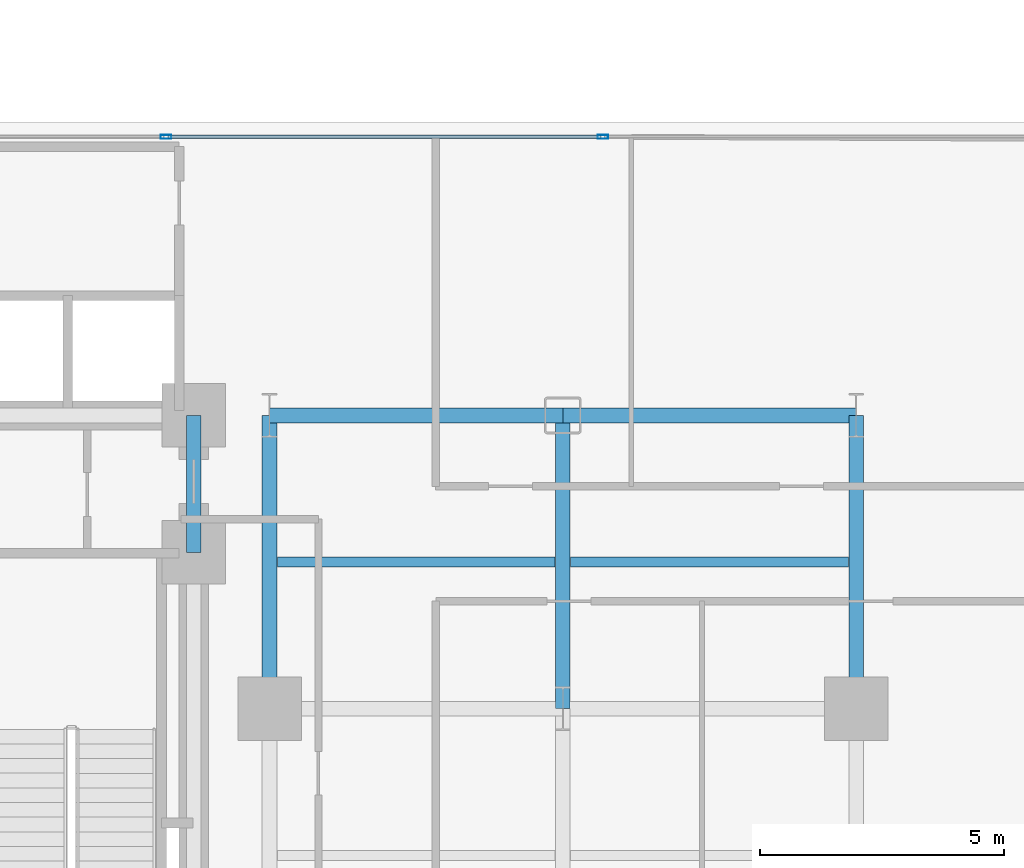
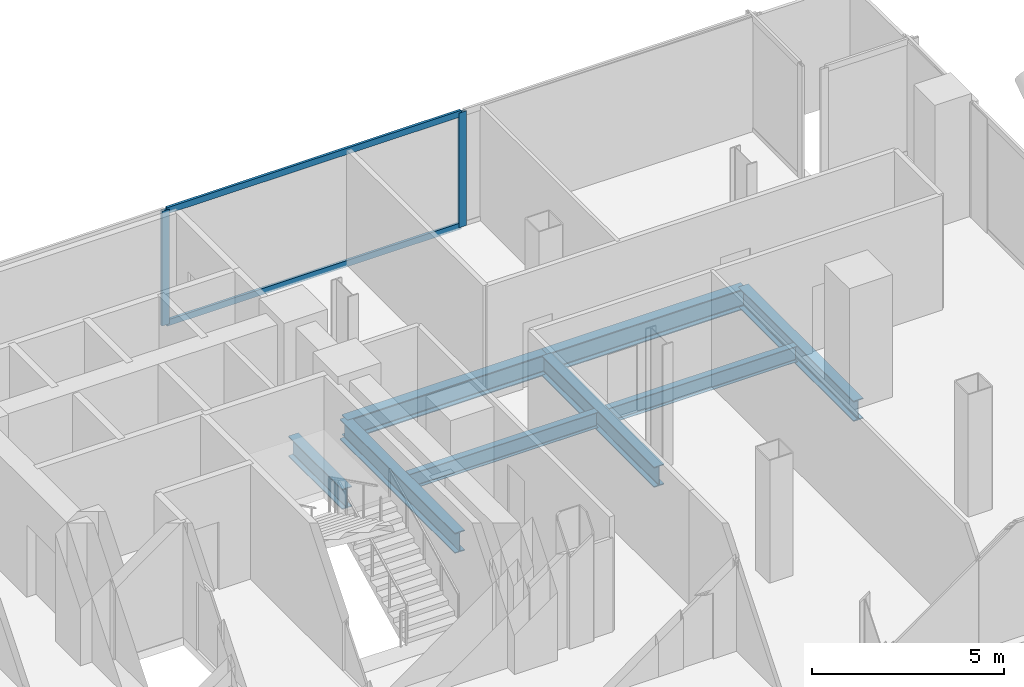
# One storey, part 11 of 25: 8 beams, 4 members, 1 element without a shape of its own.
"""IFC4 building model written with IfcOpenShell, lengths in metres."""

from ifc_helpers import new_model, si_unit, direction, frame, origin, origin_2d, place, context, subcontext, project, spatial, hollow_rectangle, i_section, extrude, material, layer, layer_set, material_profile, profile_set, type_object, element, aggregate, save


model = new_model("IFC4")

# Units and contexts
model_context = context("Model", 3, precision=1e-05, world=origin(), true_north=direction((0.0, 1.0)))
body_context = subcontext(model_context, "Body", "Model", "MODEL_VIEW")
ifc_project = project(units=[si_unit("LENGTHUNIT", "METRE"), si_unit("AREAUNIT", "SQUARE_METRE"), si_unit("VOLUMEUNIT", "CUBIC_METRE"), si_unit("PLANEANGLEUNIT", "RADIAN"), si_unit("MASSUNIT", "GRAM", prefix="KILO"), si_unit("THERMODYNAMICTEMPERATUREUNIT", "KELVIN"), si_unit("POWERUNIT", "WATT")], contexts=[model_context])

# Site, building, storey
site_placement = place(None, origin())
site = spatial("IfcSite", under=ifc_project, at=site_placement, CompositionType="ELEMENT")
building_placement = place(site_placement, origin())
building = spatial("IfcBuilding", under=site, at=building_placement, Name="Svarakhadi Broadcast Tower", CompositionType="ELEMENT")
storey_placement = place(building_placement, frame((0.0, 0.0, 36.300048828125)))
storey = spatial("IfcBuildingStorey", under=building, at=storey_placement, Name="L07", CompositionType="ELEMENT", Elevation=36.300048828125)

# Beams
ifc_material_1 = material(Name="Steel S355J2 (IS 2062 E350C)", Category="steel")
ifc_material_profile_1 = material_profile(ifc_material_1, i_section(OverallWidth=0.199951171875, OverallDepth=0.5, WebThickness=0.01025390625, FlangeThickness=0.01611328125, FilletRadius=0.02099609375, at=origin_2d()), Name="NPB 500x200x91")
ifc_profile_set_1 = profile_set([ifc_material_profile_1], Name="Steel S355J2 (IS 2062 E350C)")
beam_type_1 = type_object("IfcBeamType", Name="Beam_NPB500", PredefinedType="BEAM", material=ifc_profile_set_1)
for number, where, z_axis, x_axis, name in (
    (1, (35.31005859375, 15.0, -0.5), (1.0, 0.0, 0.0), (0.0, 1.0, 0.0), "L07 Secondary Composite Beam SB024"),
    (2, (41.31005859375, 15.0, -0.5), (1.0, 0.0, 0.0), (0.0, 1.0, 0.0), "L07 Secondary Composite Beam SB027"),
):
    element("IfcBeam", number, at=place(storey_placement, frame(where, z_axis=z_axis, x_axis=x_axis)), inside=storey, type_object=beam_type_1, Name=name, PredefinedType="BEAM", context=body_context, shape_type="SweptSolid", body=[
        extrude(i_section(OverallWidth=0.199951171875, OverallDepth=0.5, WebThickness=0.01025390625, FlangeThickness=0.01611328125, FilletRadius=0.02099609375, at=origin_2d()), origin(), (0.0, 0.0, 1.0), 5.679931640625),
    ])

# Curtain wall, members
ifc_material_2 = material(Name="Anodised Bronze Aluminium AA 6063-T6", Category="aluminium")
ifc_layer = layer(ifc_material_2, 0.219970703125)
ifc_layer_set = layer_set([ifc_layer], Name="Anodised Bronze Aluminium AA 6063-T6")
curtain_wall_type = type_object("IfcCurtainWallType", Name="CW_Sys_02", PredefinedType="NOTDEFINED", material=ifc_layer_set)
curtain_wall_placement = place(storey_placement, origin())
curtain_wall = element("IfcCurtainWall", 3, at=curtain_wall_placement, inside=storey, type_object=curtain_wall_type, Name="L07 Unitised Facade Curtain Wall 10", PredefinedType="NOTDEFINED")
ifc_material_profile_2 = material_profile(ifc_material_2, hollow_rectangle(XDim=0.0849609375, YDim=0.219970703125, WallThickness=0.006103515625, at=origin_2d()), Name="ALU MULLION 220x85x6")
ifc_profile_set_2 = profile_set([ifc_material_profile_2], Name="Anodised Bronze Aluminium AA 6063-T6")
member_type_1 = type_object("IfcMemberType", Name="CW_Sys_02_Mul", PredefinedType="MULLION", material=ifc_profile_set_2)
member_1_placement = place(storey_placement, frame((33.030029296875, 23.699951171875, 0.0), z_axis=(0.0, 0.0, 1.0), x_axis=(0.0, 1.0, 0.0)))
member_1 = element("IfcMember", 4, at=member_1_placement, type_object=member_type_1, Name="CW-02 mullion 2", PredefinedType="MULLION", context=body_context, shape_type="SweptSolid", body=[
    extrude(hollow_rectangle(XDim=0.0849609375, YDim=0.219970703125, WallThickness=0.006103515625, at=origin_2d()), origin(), (0.0, 0.0, 1.0), 3.64990234375),
])
member_2_placement = place(storey_placement, frame((41.969970703125, 23.699951171875, 0.0), z_axis=(0.0, 0.0, 1.0), x_axis=(0.0, 1.0, 0.0)))
member_2 = element("IfcMember", 5, at=member_2_placement, type_object=member_type_1, Name="CW-02 mullion 3", PredefinedType="MULLION", context=body_context, shape_type="SweptSolid", body=[
    extrude(hollow_rectangle(XDim=0.0849609375, YDim=0.219970703125, WallThickness=0.006103515625, at=origin_2d()), origin(), (0.0, 0.0, 1.0), 3.64990234375),
])
ifc_material_profile_3 = material_profile(ifc_material_2, hollow_rectangle(XDim=0.074951171875, YDim=0.199951171875, WallThickness=0.0048828125, at=origin_2d()), Name="ALU TRANSOM 200x75x5")
ifc_profile_set_3 = profile_set([ifc_material_profile_3], Name="Anodised Bronze Aluminium AA 6063-T6")
member_type_2 = type_object("IfcMemberType", Name="CW_Sys_02_Trn", PredefinedType="USERDEFINED", material=ifc_profile_set_3)
member_3_placement = place(storey_placement, frame((33.072509765625, 23.699951171875, 0.037353515625), z_axis=(1.0, 0.0, 0.0), x_axis=(0.0, 1.0, 0.0)))
member_3 = element("IfcMember", 6, at=member_3_placement, type_object=member_type_2, Name="CW-02 transom 2.1", ObjectType="TRANSOM", PredefinedType="USERDEFINED", context=body_context, shape_type="SweptSolid", body=[
    extrude(hollow_rectangle(XDim=0.074951171875, YDim=0.199951171875, WallThickness=0.0048828125, at=origin_2d()), origin(), (0.0, 0.0, 1.0), 8.85498046875),
])
member_4_placement = place(storey_placement, frame((33.072509765625, 23.699951171875, 3.612548828125), z_axis=(1.0, 0.0, 0.0), x_axis=(0.0, 1.0, 0.0)))
member_4 = element("IfcMember", 7, at=member_4_placement, type_object=member_type_2, Name="CW-02 transom 2.2", ObjectType="TRANSOM", PredefinedType="USERDEFINED", context=body_context, shape_type="SweptSolid", body=[
    extrude(hollow_rectangle(XDim=0.074951171875, YDim=0.199951171875, WallThickness=0.0048828125, at=origin_2d()), origin(), (0.0, 0.0, 1.0), 8.85498046875),
])
aggregate(curtain_wall, [member_1, member_2, member_3, member_4])

# Beams
ifc_material_profile_4 = material_profile(ifc_material_1, i_section(OverallWidth=0.300048828125, OverallDepth=0.64990234375, WebThickness=0.01611328125, FlangeThickness=0.031005859375, FilletRadius=0.027099609375, at=origin_2d()), Name="WPB 650x300x225")
ifc_profile_set_4 = profile_set([ifc_material_profile_4], Name="Steel S355J2 (IS 2062 E350C)")
beam_type_2 = type_object("IfcBeamType", Name="Girder_WPB650", PredefinedType="USERDEFINED", material=ifc_profile_set_4)
for number, where, z_axis, x_axis, name in (
    (8, (35.14990234375, 18.0, -0.574951171875), (1.0, 0.0, 0.0), (0.0, 1.0, 0.0), "L07 Primary E-W Girder G030"),
    (9, (41.14990234375, 18.0, -0.574951171875), (1.0, 0.0, 0.0), (0.0, 1.0, 0.0), "L07 Primary E-W Girder G031"),
):
    element("IfcBeam", number, at=place(storey_placement, frame(where, z_axis=z_axis, x_axis=x_axis)), inside=storey, type_object=beam_type_2, Name=name, ObjectType="GIRDER", PredefinedType="USERDEFINED", context=body_context, shape_type="SweptSolid", body=[
        extrude(i_section(OverallWidth=0.300048828125, OverallDepth=0.64990234375, WebThickness=0.01611328125, FlangeThickness=0.031005859375, FilletRadius=0.027099609375, at=origin_2d()), origin(), (0.0, 0.0, 1.0), 6.0),
    ])
beam_placement = place(storey_placement, frame((33.60009765625, 15.199951171875, -0.574951171875), z_axis=(0.0, 1.0, 0.0), x_axis=(-1.0, 0.0, 0.0)))
element("IfcBeam", 10, at=beam_placement, inside=storey, type_object=beam_type_2, Name="L07 Primary N-S Girder G075", ObjectType="GIRDER", PredefinedType="USERDEFINED", context=body_context, shape_type="SweptSolid", body=[
    extrude(i_section(OverallWidth=0.300048828125, OverallDepth=0.64990234375, WebThickness=0.01611328125, FlangeThickness=0.031005859375, FilletRadius=0.027099609375, at=origin_2d()), origin(), (0.0, 0.0, 1.0), 2.800048828125),
])
for number, where, z_axis, x_axis, name in (
    (11, (35.14990234375, 12.0, -0.574951171875), (0.0, 1.0, 0.0), (-1.0, 0.0, 0.0), "L07 Primary N-S Girder G078"),
    (12, (41.14990234375, 12.0, -0.574951171875), (0.0, 1.0, 0.0), (-1.0, 0.0, 0.0), "L07 Primary N-S Girder G081"),
    (13, (47.14990234375, 12.0, -0.574951171875), (0.0, 1.0, 0.0), (-1.0, 0.0, 0.0), "L07 Primary N-S Girder G084"),
):
    element("IfcBeam", number, at=place(storey_placement, frame(where, z_axis=z_axis, x_axis=x_axis)), inside=storey, type_object=beam_type_2, Name=name, ObjectType="GIRDER", PredefinedType="USERDEFINED", context=body_context, shape_type="SweptSolid", body=[
        extrude(i_section(OverallWidth=0.300048828125, OverallDepth=0.64990234375, WebThickness=0.01611328125, FlangeThickness=0.031005859375, FilletRadius=0.027099609375, at=origin_2d()), origin(), (0.0, 0.0, 1.0), 6.0),
    ])

save(model, "model.ifc")
